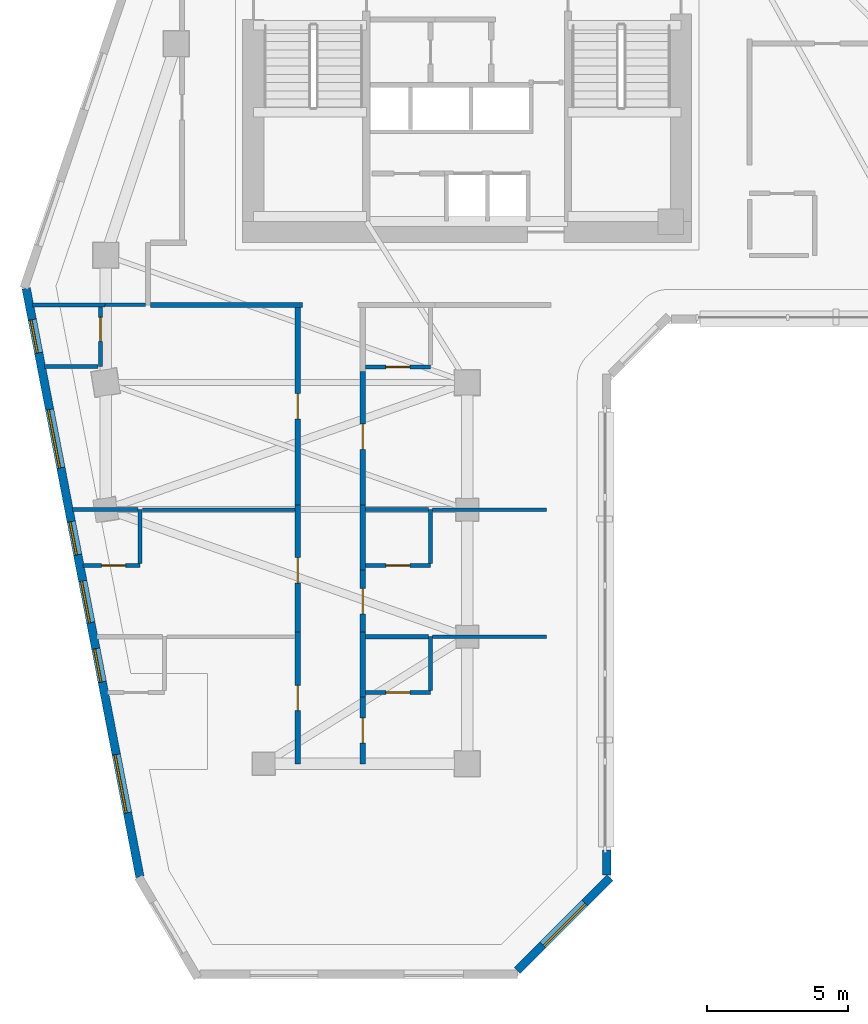
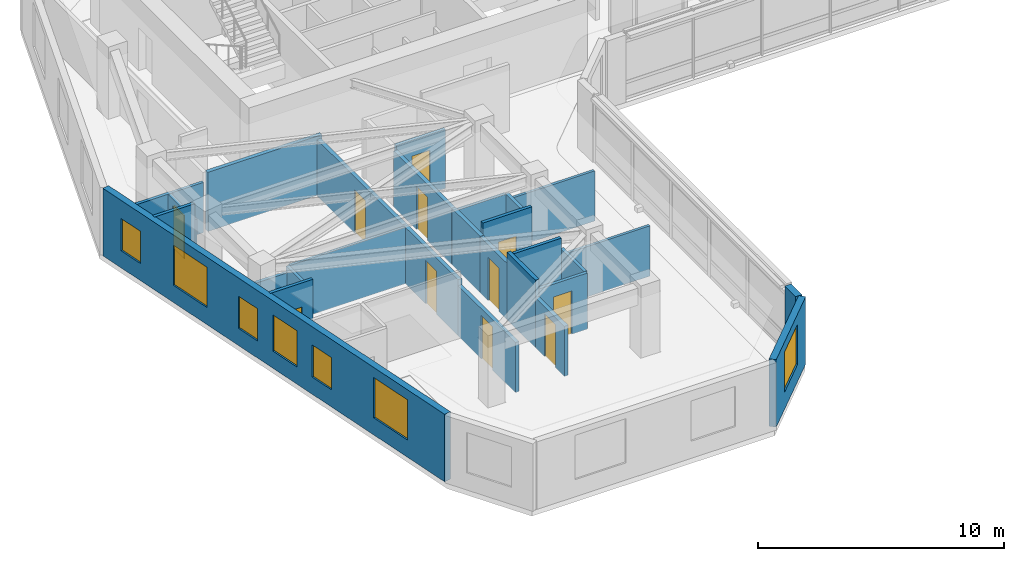
# One storey, part 5 of 14: 29 walls, 11 doors, 7 windows, 18 openings.
"""IFC4 building model written with IfcOpenShell, lengths in metres."""

from ifc_helpers import new_model, si_unit, direction, frame, frame_2d, origin, place, context, subcontext, project, spatial, rectangle, extrude, source, transform, mapped, material, layer, layer_set, type_object, element, fill, save


model = new_model("IFC4")

# Units and contexts
model_context = context("Model", 3, precision=1e-05, world=origin(), true_north=direction((0.0, 1.0)))
body_context = subcontext(model_context, "Body", "Model", "MODEL_VIEW")
ifc_project = project(units=[si_unit("LENGTHUNIT", "METRE"), si_unit("AREAUNIT", "SQUARE_METRE"), si_unit("VOLUMEUNIT", "CUBIC_METRE"), si_unit("PLANEANGLEUNIT", "RADIAN"), si_unit("MASSUNIT", "GRAM", prefix="KILO")], contexts=[model_context])

# Site, building, storey
site_placement = place(None, origin())
site = spatial("IfcSite", under=ifc_project, at=site_placement, CompositionType="ELEMENT")
building_placement = place(site_placement, origin())
building = spatial("IfcBuilding", under=site, at=building_placement, Name="Calvemar Wedge Station Tower", CompositionType="ELEMENT")
storey_placement = place(building_placement, frame((0.0, 0.0, 125.0)))
storey = spatial("IfcBuildingStorey", under=building, at=storey_placement, Name="L30", CompositionType="ELEMENT", Elevation=125.0)

# Wall
ifc_material_1 = material(Name="Double-stud fire-rated corridor partition")
ifc_layer_1 = layer(ifc_material_1, 0.179931640625)
ifc_layer_set_1 = layer_set([ifc_layer_1], Name="Double-stud fire-rated corridor partition")
wall_type_1 = type_object("IfcWallType", Name="W-CORR-180", PredefinedType="PARTITIONING", material=ifc_layer_set_1)
wall_1_placement = place(storey_placement, frame((17.9599609375, 31.25, 0.0), z_axis=(0.0, 0.0, 1.0), x_axis=(-1.0, 0.0, 0.0)))
element("IfcWall", 1, at=wall_1_placement, inside=storey, type_object=wall_type_1, Name="Storey L30 Interior Partition WL-L30-009", PredefinedType="PARTITIONING", context=body_context, shape_type="SweptSolid", body=[
    extrude(rectangle(XDim=5.365966796875, YDim=0.179931640625, at=frame_2d((2.68310546875, 0.0))), origin(), (0.0, 0.0, 1.0), 2.93505859375),
])

# Wall, opening, door
wall_2_placement = place(storey_placement, frame((17.800048828125, 15.0, 0.0), z_axis=(0.0, 0.0, 1.0), x_axis=(0.0, 1.0, 0.0)))
wall_2 = element("IfcWall", 2, at=wall_2_placement, inside=storey, type_object=wall_type_1, Name="Storey L30 Interior Partition WL-L30-045", PredefinedType="PARTITIONING", context=body_context, shape_type="SweptSolid", body=[
    extrude(rectangle(XDim=4.659912109375, YDim=0.179931640625, at=frame_2d((2.330078125, 0.0))), origin(), (0.0, 0.0, 1.0), 2.491943359375),
])
shared_shape_1 = source(origin(), body_context, "Body", "SweptSolid", [
    extrude(rectangle(XDim=0.89990234375, YDim=2.14990234375, at=frame_2d((0.449951171875, 1.074951171875))), frame((0.0, 0.10009765625, 0.0), z_axis=(0.0, -1.0, 0.0), x_axis=(1.0, 0.0, 0.0)), (0.0, 0.0, 1.0), 0.199951171875),
])
opening_1_placement = place(wall_2_placement, frame((1.8798828125, 0.0, 0.0)))
opening_1 = element("IfcOpeningElement", 3, at=opening_1_placement, cuts=wall_2, Name="Opening FD-60", PredefinedType="OPENING", context=body_context, shape_type="MappedRepresentation", body=[
    mapped(shared_shape_1, transform((0.0, 0.0, 0.0), scale=1.0)),
])
ifc_material_2 = material(Name="Fire-rated acoustic timber-core entrance door EI 60", Category="wood")
door_type_1 = type_object("IfcDoorType", Name="DR-FD60-900", OperationType="NOTDEFINED", PredefinedType="DOOR", material=ifc_material_2)
shared_shape_2 = source(origin(), body_context, "Body", "SweptSolid", [
    extrude(rectangle(XDim=0.89990234375, YDim=2.14990234375, at=frame_2d((0.449951171875, 1.074951171875))), frame((0.0, 0.02490234375, 0.0), z_axis=(0.0, -1.0, 0.0), x_axis=(1.0, 0.0, 0.0)), (0.0, 0.0, 1.0), 0.050048828125),
])
door_1_placement = place(opening_1_placement, origin())
door_1 = element("IfcDoor", 4, at=door_1_placement, inside=storey, type_object=door_type_1, Name="L30 Hotel Guest Room Door", OperationType="SINGLE_SWING_LEFT", OverallHeight=2.14990234375, OverallWidth=0.89990234375, PredefinedType="DOOR", context=body_context, shape_type="MappedRepresentation", body=[
    mapped(shared_shape_2, transform((0.0, 0.0, 0.0), scale=1.0)),
])
fill(opening_1, door_1)

# Wall
wall_3_placement = place(storey_placement, frame((20.10009765625, 19.659912109375, 0.0), z_axis=(0.0, 0.0, 1.0), x_axis=(0.0, -1.0, 0.0)))
element("IfcWall", 5, at=wall_3_placement, inside=storey, type_object=wall_type_1, Name="Storey L30 Interior Partition WL-L30-046", PredefinedType="PARTITIONING", context=body_context, shape_type="SweptSolid", body=[
    extrude(rectangle(XDim=2.2998046875, YDim=0.179931640625, at=frame_2d((1.14990234375, 0.0))), origin(), (0.0, 0.0, 1.0), 3.35009765625),
])

# Wall, opening, door
wall_4_placement = place(storey_placement, frame((20.10009765625, 17.35791015625, 0.0), z_axis=(0.0, 0.0, 1.0), x_axis=(0.0, -1.0, 0.0)))
wall_4 = element("IfcWall", 6, at=wall_4_placement, inside=storey, type_object=wall_type_1, Name="Storey L30 Interior Partition WL-L30-047", PredefinedType="PARTITIONING", context=body_context, shape_type="SweptSolid", body=[
    extrude(rectangle(XDim=2.35791015625, YDim=0.179931640625, at=frame_2d((1.178955078125, 0.0))), origin(), (0.0, 0.0, 1.0), 2.491943359375),
])
opening_2_placement = place(wall_4_placement, frame((0.72900390625, 0.0, 0.0)))
opening_2 = element("IfcOpeningElement", 7, at=opening_2_placement, cuts=wall_4, Name="Opening FD-60", PredefinedType="OPENING", context=body_context, shape_type="MappedRepresentation", body=[
    mapped(shared_shape_1, transform((0.0, 0.0, 0.0), scale=1.0)),
])
door_2_placement = place(opening_2_placement, origin())
door_2 = element("IfcDoor", 8, at=door_2_placement, inside=storey, type_object=door_type_1, Name="L30 Hotel Guest Room Door", OperationType="SINGLE_SWING_LEFT", OverallHeight=2.14990234375, OverallWidth=0.89990234375, PredefinedType="DOOR", context=body_context, shape_type="MappedRepresentation", body=[
    mapped(shared_shape_2, transform((0.0, 0.0, 0.0), scale=1.0)),
])
fill(opening_2, door_2)

wall_5_placement = place(storey_placement, frame((17.800048828125, 19.662109375, 0.0), z_axis=(0.0, 0.0, 1.0), x_axis=(0.0, 1.0, 0.0)))
wall_5 = element("IfcWall", 9, at=wall_5_placement, inside=storey, type_object=wall_type_1, Name="Storey L30 Interior Partition WL-L30-048", PredefinedType="PARTITIONING", context=body_context, shape_type="SweptSolid", body=[
    extrude(rectangle(XDim=4.497802734375, YDim=0.179931640625, at=frame_2d((2.2490234375, 0.0))), origin(), (0.0, 0.0, 1.0), 2.7880859375),
])
opening_3_placement = place(wall_5_placement, frame((1.73828125, 0.0, 0.0)))
opening_3 = element("IfcOpeningElement", 10, at=opening_3_placement, cuts=wall_5, Name="Opening FD-60", PredefinedType="OPENING", context=body_context, shape_type="MappedRepresentation", body=[
    mapped(shared_shape_1, transform((0.0, 0.0, 0.0), scale=1.0)),
])
door_3_placement = place(opening_3_placement, origin())
door_3 = element("IfcDoor", 11, at=door_3_placement, inside=storey, type_object=door_type_1, Name="L30 Hotel Guest Room Door", OperationType="SINGLE_SWING_LEFT", OverallHeight=2.14990234375, OverallWidth=0.89990234375, PredefinedType="DOOR", context=body_context, shape_type="MappedRepresentation", body=[
    mapped(shared_shape_2, transform((0.0, 0.0, 0.0), scale=1.0)),
])
fill(opening_3, door_3)

# Wall
wall_6_placement = place(storey_placement, frame((20.10009765625, 24.159912109375, 0.0), z_axis=(0.0, 0.0, 1.0), x_axis=(0.0, -1.0, 0.0)))
element("IfcWall", 12, at=wall_6_placement, inside=storey, type_object=wall_type_1, Name="Storey L30 Interior Partition WL-L30-049", PredefinedType="PARTITIONING", context=body_context, shape_type="SweptSolid", body=[
    extrude(rectangle(XDim=2.2998046875, YDim=0.179931640625, at=frame_2d((1.14990234375, 0.0))), origin(), (0.0, 0.0, 1.0), 2.802978515625),
])

# Wall, opening, door
wall_7_placement = place(storey_placement, frame((20.10009765625, 21.85791015625, 0.0), z_axis=(0.0, 0.0, 1.0), x_axis=(0.0, -1.0, 0.0)))
wall_7 = element("IfcWall", 13, at=wall_7_placement, inside=storey, type_object=wall_type_1, Name="Storey L30 Interior Partition WL-L30-050", PredefinedType="PARTITIONING", context=body_context, shape_type="SweptSolid", body=[
    extrude(rectangle(XDim=2.19580078125, YDim=0.179931640625, at=frame_2d((1.097900390625, 0.0))), origin(), (0.0, 0.0, 1.0), 2.7880859375),
])
opening_4_placement = place(wall_7_placement, frame((0.64794921875, 0.0, 0.0)))
opening_4 = element("IfcOpeningElement", 14, at=opening_4_placement, cuts=wall_7, Name="Opening FD-60", PredefinedType="OPENING", context=body_context, shape_type="MappedRepresentation", body=[
    mapped(shared_shape_1, transform((0.0, 0.0, 0.0), scale=1.0)),
])
door_4_placement = place(opening_4_placement, origin())
door_4 = element("IfcDoor", 15, at=door_4_placement, inside=storey, type_object=door_type_1, Name="L30 Hotel Guest Room Door", OperationType="SINGLE_SWING_LEFT", OverallHeight=2.14990234375, OverallWidth=0.89990234375, PredefinedType="DOOR", context=body_context, shape_type="MappedRepresentation", body=[
    mapped(shared_shape_2, transform((0.0, 0.0, 0.0), scale=1.0)),
])
fill(opening_4, door_4)

wall_8_placement = place(storey_placement, frame((17.800048828125, 24.162109375, 0.0), z_axis=(0.0, 0.0, 1.0), x_axis=(0.0, 1.0, 0.0)))
wall_8 = element("IfcWall", 16, at=wall_8_placement, inside=storey, type_object=wall_type_1, Name="Storey L30 Interior Partition WL-L30-051", PredefinedType="PARTITIONING", context=body_context, shape_type="SweptSolid", body=[
    extrude(rectangle(XDim=6.993896484375, YDim=0.179931640625, at=frame_2d((3.4970703125, 0.0))), origin(), (0.0, 0.0, 1.0), 2.7880859375),
])
opening_5_placement = place(wall_8_placement, frame((3.047119140625, 0.0, 0.0)))
opening_5 = element("IfcOpeningElement", 17, at=opening_5_placement, cuts=wall_8, Name="Opening FD-60", PredefinedType="OPENING", context=body_context, shape_type="MappedRepresentation", body=[
    mapped(shared_shape_1, transform((0.0, 0.0, 0.0), scale=1.0)),
])
door_5_placement = place(opening_5_placement, origin())
door_5 = element("IfcDoor", 18, at=door_5_placement, inside=storey, type_object=door_type_1, Name="L30 Hotel Guest Room Door", OperationType="SINGLE_SWING_LEFT", OverallHeight=2.14990234375, OverallWidth=0.89990234375, PredefinedType="DOOR", context=body_context, shape_type="MappedRepresentation", body=[
    mapped(shared_shape_2, transform((0.0, 0.0, 0.0), scale=1.0)),
])
fill(opening_5, door_5)

wall_9_placement = place(storey_placement, frame((20.10009765625, 28.887939453125, 0.0), z_axis=(0.0, 0.0, 1.0), x_axis=(0.0, -1.0, 0.0)))
wall_9 = element("IfcWall", 19, at=wall_9_placement, inside=storey, type_object=wall_type_1, Name="Storey L30 Interior Partition WL-L30-053", PredefinedType="PARTITIONING", context=body_context, shape_type="SweptSolid", body=[
    extrude(rectangle(XDim=4.725830078125, YDim=0.179931640625, at=frame_2d((2.36279296875, 0.0))), origin(), (0.0, 0.0, 1.0), 2.7880859375),
])
opening_6_placement = place(wall_9_placement, frame((1.8525390625, 0.0, 0.0)))
opening_6 = element("IfcOpeningElement", 20, at=opening_6_placement, cuts=wall_9, Name="Opening FD-60", PredefinedType="OPENING", context=body_context, shape_type="MappedRepresentation", body=[
    mapped(shared_shape_1, transform((0.0, 0.0, 0.0), scale=1.0)),
])
door_6_placement = place(opening_6_placement, origin())
door_6 = element("IfcDoor", 21, at=door_6_placement, inside=storey, type_object=door_type_1, Name="L30 Hotel Guest Room Door", OperationType="SINGLE_SWING_LEFT", OverallHeight=2.14990234375, OverallWidth=0.89990234375, PredefinedType="DOOR", context=body_context, shape_type="MappedRepresentation", body=[
    mapped(shared_shape_2, transform((0.0, 0.0, 0.0), scale=1.0)),
])
fill(opening_6, door_6)

# Wall, opening, window
ifc_material_3 = material(Name="Precast concrete C45", Category="concrete")
ifc_layer_2 = layer(ifc_material_3, 0.300048828125)
ifc_layer_set_2 = layer_set([ifc_layer_2], Name="Precast concrete C45")
wall_type_2 = type_object("IfcWallType", Name="W-EXT-GFRC-300", PredefinedType="SOLIDWALL", material=ifc_layer_set_2)
wall_10_placement = place(storey_placement, frame((25.572021484375, 7.68798828125, 0.0), z_axis=(0.0, 0.0, 1.0), x_axis=(0.70708046583, 0.707133095564, 0.0)))
wall_10 = element("IfcWall", 22, at=wall_10_placement, inside=storey, type_object=wall_type_2, Name="Storey L30 Bronze GFRC Exterior Wall 3", PredefinedType="SOLIDWALL", context=body_context, shape_type="SweptSolid", body=[
    extrude(rectangle(XDim=4.638916015625, YDim=0.300048828125, at=frame_2d((2.3193359375, 0.0))), origin(), (0.0, 0.0, 1.0), 3.35009765625),
])
shared_shape_3 = source(origin(), body_context, "Body", "SweptSolid", [
    extrude(rectangle(XDim=2.10009765625, YDim=2.0, at=frame_2d((1.050048828125, 1.0))), frame((0.0, 0.16015625, 0.0), z_axis=(0.0, -1.0, 0.0), x_axis=(1.0, 0.0, 0.0)), (0.0, 0.0, 1.0), 0.320068359375),
])
opening_7_placement = place(wall_10_placement, frame((1.26904296875, 0.0, 0.85009765625)))
opening_7 = element("IfcOpeningElement", 23, at=opening_7_placement, cuts=wall_10, Name="Opening W4", PredefinedType="OPENING", context=body_context, shape_type="MappedRepresentation", body=[
    mapped(shared_shape_3, transform((0.0, 0.0, 0.0), scale=1.0)),
])
ifc_material_4 = material(Name="Low-E laminated insulated glass", Category="glass")
window_type_1 = type_object("IfcWindowType", Name="WIN-EXT-4", PartitioningType="SINGLE_PANEL", PredefinedType="WINDOW", material=ifc_material_4)
shared_shape_4 = source(origin(), body_context, "Body", "SweptSolid", [
    extrude(rectangle(XDim=2.10009765625, YDim=2.0, at=frame_2d((1.050048828125, 1.0))), frame((0.0, -0.014892578125, 0.0), z_axis=(0.0, -1.0, 0.0), x_axis=(1.0, 0.0, 0.0)), (0.0, 0.0, 1.0), 0.06005859375),
])
window_1_placement = place(opening_7_placement, origin())
window_1 = element("IfcWindow", 24, at=window_1_placement, inside=storey, type_object=window_type_1, Name="Storey L30 Recessed Window 3.1", OverallHeight=2.0, OverallWidth=2.10009765625, PartitioningType="SINGLE_PANEL", PredefinedType="WINDOW", context=body_context, shape_type="MappedRepresentation", body=[
    mapped(shared_shape_4, transform((0.0, 0.0, 0.0), scale=1.0)),
])
fill(opening_7, window_1)

# Wall
wall_11_placement = place(storey_placement, frame((28.74609375, 11.057373046875, 0.0), z_axis=(0.0, 0.0, 1.0), x_axis=(0.0, 1.0, 0.0)))
element("IfcWall", 25, at=wall_11_placement, inside=storey, type_object=wall_type_2, Name="Storey L30 Bronze GFRC Corner Pier 4A", PredefinedType="SOLIDWALL", context=body_context, shape_type="SweptSolid", body=[
    extrude(rectangle(XDim=0.88232421875, YDim=0.300048828125, at=frame_2d((0.441162109375, 0.0))), origin(), (0.0, 0.0, 1.0), 3.35009765625),
])

# Wall, openings, windows
wall_12_placement = place(storey_placement, frame((8.184814453125, 31.833740234375, 0.0), z_axis=(0.0, 0.0, 1.0), x_axis=(0.189707113148, -0.981840725994, 0.0)))
wall_12 = element("IfcWall", 26, at=wall_12_placement, inside=storey, type_object=wall_type_2, Name="Storey L30 Bronze GFRC Exterior Wall 13", PredefinedType="SOLIDWALL", context=body_context, shape_type="SweptSolid", body=[
    extrude(rectangle(XDim=21.221435546875, YDim=0.300048828125, at=frame_2d((10.61083984375, 0.0))), origin(), (0.0, 0.0, 1.0), 3.35009765625),
])
shared_shape_5 = source(origin(), body_context, "Body", "SweptSolid", [
    extrude(rectangle(XDim=1.199951171875, YDim=1.60009765625, at=frame_2d((0.60009765625, 0.800048828125))), frame((0.0, 0.16015625, 0.0), z_axis=(0.0, -1.0, 0.0), x_axis=(1.0, 0.0, 0.0)), (0.0, 0.0, 1.0), 0.320068359375),
])
opening_8_placement = place(wall_12_placement, frame((1.126953125, 0.0, 0.85009765625)))
opening_8 = element("IfcOpeningElement", 27, at=opening_8_placement, cuts=wall_12, Name="Opening W5", PredefinedType="OPENING", context=body_context, shape_type="MappedRepresentation", body=[
    mapped(shared_shape_5, transform((0.0, 0.0, 0.0), scale=1.0)),
])
opening_9_placement = place(wall_12_placement, frame((4.368896484375, 0.0, 0.85009765625)))
opening_9 = element("IfcOpeningElement", 28, at=opening_9_placement, cuts=wall_12, Name="Opening W4", PredefinedType="OPENING", context=body_context, shape_type="MappedRepresentation", body=[
    mapped(shared_shape_3, transform((0.0, 0.0, 0.0), scale=1.0)),
])
opening_10_placement = place(wall_12_placement, frame((8.408935546875, 0.0, 0.85009765625)))
opening_10 = element("IfcOpeningElement", 29, at=opening_10_placement, cuts=wall_12, Name="Opening W5", PredefinedType="OPENING", context=body_context, shape_type="MappedRepresentation", body=[
    mapped(shared_shape_5, transform((0.0, 0.0, 0.0), scale=1.0)),
])
shared_shape_6 = source(origin(), body_context, "Body", "SweptSolid", [
    extrude(rectangle(XDim=1.5, YDim=1.800048828125, at=frame_2d((0.75, 0.89990234375))), frame((0.0, 0.16015625, 0.0), z_axis=(0.0, -1.0, 0.0), x_axis=(1.0, 0.0, 0.0)), (0.0, 0.0, 1.0), 0.320068359375),
])
opening_11_placement = place(wall_12_placement, frame((10.551025390625, 0.0, 0.85009765625)))
opening_11 = element("IfcOpeningElement", 30, at=opening_11_placement, cuts=wall_12, Name="Opening W3", PredefinedType="OPENING", context=body_context, shape_type="MappedRepresentation", body=[
    mapped(shared_shape_6, transform((0.0, 0.0, 0.0), scale=1.0)),
])
opening_12_placement = place(wall_12_placement, frame((12.991943359375, 0.0, 0.85009765625)))
opening_12 = element("IfcOpeningElement", 31, at=opening_12_placement, cuts=wall_12, Name="Opening W5", PredefinedType="OPENING", context=body_context, shape_type="MappedRepresentation", body=[
    mapped(shared_shape_5, transform((0.0, 0.0, 0.0), scale=1.0)),
])
opening_13_placement = place(wall_12_placement, frame((16.81103515625, 0.0, 0.85009765625)))
opening_13 = element("IfcOpeningElement", 32, at=opening_13_placement, cuts=wall_12, Name="Opening W4", PredefinedType="OPENING", context=body_context, shape_type="MappedRepresentation", body=[
    mapped(shared_shape_3, transform((0.0, 0.0, 0.0), scale=1.0)),
])
window_2_placement = place(opening_9_placement, origin())
window_2 = element("IfcWindow", 33, at=window_2_placement, inside=storey, type_object=window_type_1, Name="Storey L30 Recessed Window 13.2", OverallHeight=2.0, OverallWidth=2.10009765625, PartitioningType="SINGLE_PANEL", PredefinedType="WINDOW", context=body_context, shape_type="MappedRepresentation", body=[
    mapped(shared_shape_4, transform((0.0, 0.0, 0.0), scale=1.0)),
])
fill(opening_9, window_2)
window_3_placement = place(opening_13_placement, origin())
window_3 = element("IfcWindow", 34, at=window_3_placement, inside=storey, type_object=window_type_1, Name="Storey L30 Recessed Window 13.6", OverallHeight=2.0, OverallWidth=2.10009765625, PartitioningType="SINGLE_PANEL", PredefinedType="WINDOW", context=body_context, shape_type="MappedRepresentation", body=[
    mapped(shared_shape_4, transform((0.0, 0.0, 0.0), scale=1.0)),
])
fill(opening_13, window_3)
window_type_2 = type_object("IfcWindowType", Name="WIN-EXT-3", PartitioningType="SINGLE_PANEL", PredefinedType="WINDOW", material=ifc_material_4)
shared_shape_7 = source(origin(), body_context, "Body", "SweptSolid", [
    extrude(rectangle(XDim=1.5, YDim=1.800048828125, at=frame_2d((0.75, 0.89990234375))), frame((0.0, -0.014892578125, 0.0), z_axis=(0.0, -1.0, 0.0), x_axis=(1.0, 0.0, 0.0)), (0.0, 0.0, 1.0), 0.06005859375),
])
window_4_placement = place(opening_11_placement, origin())
window_4 = element("IfcWindow", 35, at=window_4_placement, inside=storey, type_object=window_type_2, Name="Storey L30 Recessed Window 13.4", OverallHeight=1.800048828125, OverallWidth=1.5, PartitioningType="SINGLE_PANEL", PredefinedType="WINDOW", context=body_context, shape_type="MappedRepresentation", body=[
    mapped(shared_shape_7, transform((0.0, 0.0, 0.0), scale=1.0)),
])
fill(opening_11, window_4)
window_type_3 = type_object("IfcWindowType", Name="WIN-EXT-5", PartitioningType="SINGLE_PANEL", PredefinedType="WINDOW", material=ifc_material_4)
shared_shape_8 = source(origin(), body_context, "Body", "SweptSolid", [
    extrude(rectangle(XDim=1.199951171875, YDim=1.60009765625, at=frame_2d((0.60009765625, 0.800048828125))), frame((0.0, -0.014892578125, 0.0), z_axis=(0.0, -1.0, 0.0), x_axis=(1.0, 0.0, 0.0)), (0.0, 0.0, 1.0), 0.06005859375),
])
window_5_placement = place(opening_8_placement, origin())
window_5 = element("IfcWindow", 36, at=window_5_placement, inside=storey, type_object=window_type_3, Name="Storey L30 Recessed Window 13.1", OverallHeight=1.60009765625, OverallWidth=1.199951171875, PartitioningType="SINGLE_PANEL", PredefinedType="WINDOW", context=body_context, shape_type="MappedRepresentation", body=[
    mapped(shared_shape_8, transform((0.0, 0.0, 0.0), scale=1.0)),
])
fill(opening_8, window_5)
window_6_placement = place(opening_10_placement, origin())
window_6 = element("IfcWindow", 37, at=window_6_placement, inside=storey, type_object=window_type_3, Name="Storey L30 Recessed Window 13.3", OverallHeight=1.60009765625, OverallWidth=1.199951171875, PartitioningType="SINGLE_PANEL", PredefinedType="WINDOW", context=body_context, shape_type="MappedRepresentation", body=[
    mapped(shared_shape_8, transform((0.0, 0.0, 0.0), scale=1.0)),
])
fill(opening_10, window_6)
window_7_placement = place(opening_12_placement, origin())
window_7 = element("IfcWindow", 38, at=window_7_placement, inside=storey, type_object=window_type_3, Name="Storey L30 Recessed Window 13.5", OverallHeight=1.60009765625, OverallWidth=1.199951171875, PartitioningType="SINGLE_PANEL", PredefinedType="WINDOW", context=body_context, shape_type="MappedRepresentation", body=[
    mapped(shared_shape_8, transform((0.0, 0.0, 0.0), scale=1.0)),
])
fill(opening_12, window_7)

# Walls
ifc_material_5 = material(Name="Insulated acoustic gypsum stud partition")
ifc_layer_3 = layer(ifc_material_5, 0.125)
ifc_layer_set_3 = layer_set([ifc_layer_3], Name="Insulated acoustic gypsum stud partition")
wall_type_3 = type_object("IfcWallType", Name="W-PART-125", PredefinedType="PARTITIONING", material=ifc_layer_set_3)
wall_13_placement = place(storey_placement, frame((12.406005859375, 31.25, 0.0), z_axis=(0.0, 0.0, 1.0), x_axis=(-1.0, 0.0, 0.0)))
element("IfcWall", 39, at=wall_13_placement, inside=storey, type_object=wall_type_3, Name="Storey L30 Interior Partition WL-L30-020", PredefinedType="PARTITIONING", context=body_context, shape_type="SweptSolid", body=[
    extrude(rectangle(XDim=1.43310546875, YDim=0.125, at=frame_2d((0.716552734375, 0.0))), origin(), (0.0, 0.0, 1.0), 2.491943359375),
])
wall_14_placement = place(storey_placement, frame((22.5791015625, 19.5, 0.0), z_axis=(0.0, 0.0, 1.0), x_axis=(1.0, 0.0, 0.0)))
element("IfcWall", 40, at=wall_14_placement, inside=storey, type_object=wall_type_3, Name="Storey L30 Interior Partition WL-L30-061", PredefinedType="PARTITIONING", context=body_context, shape_type="SweptSolid", body=[
    extrude(rectangle(XDim=4.02099609375, YDim=0.125, at=frame_2d((2.010498046875, 0.0))), origin(), (0.0, 0.0, 1.0), 2.491943359375),
])
wall_15_placement = place(storey_placement, frame((12.294677734375, 24.0, 0.0), z_axis=(0.0, 0.0, 1.0), x_axis=(1.0, 0.0, 0.0)))
element("IfcWall", 41, at=wall_15_placement, inside=storey, type_object=wall_type_3, Name="Storey L30 Interior Partition WL-L30-065", PredefinedType="PARTITIONING", context=body_context, shape_type="SweptSolid", body=[
    extrude(rectangle(XDim=5.411376953125, YDim=0.125, at=frame_2d((2.70556640625, 0.0))), origin(), (0.0, 0.0, 1.0), 2.802978515625),
])
wall_16_placement = place(storey_placement, frame((22.5791015625, 24.0, 0.0), z_axis=(0.0, 0.0, 1.0), x_axis=(1.0, 0.0, 0.0)))
element("IfcWall", 42, at=wall_16_placement, inside=storey, type_object=wall_type_3, Name="Storey L30 Interior Partition WL-L30-069", PredefinedType="PARTITIONING", context=body_context, shape_type="SweptSolid", body=[
    extrude(rectangle(XDim=4.02099609375, YDim=0.125, at=frame_2d((2.010498046875, 0.0))), origin(), (0.0, 0.0, 1.0), 2.491943359375),
])
ifc_material_6 = material(Name="Moisture-resistant acoustic bathroom partition")
ifc_layer_4 = layer(ifc_material_6, 0.14990234375)
ifc_layer_set_4 = layer_set([ifc_layer_4], Name="Moisture-resistant acoustic bathroom partition")
wall_type_4 = type_object("IfcWallType", Name="W-WET-150", PredefinedType="PARTITIONING", material=ifc_layer_set_4)
wall_17_placement = place(storey_placement, frame((10.970947265625, 31.25, 0.0), z_axis=(0.0, 0.0, 1.0), x_axis=(-1.0, 0.0, 0.0)))
element("IfcWall", 43, at=wall_17_placement, inside=storey, type_object=wall_type_4, Name="Storey L30 Interior Partition WL-L30-019", PredefinedType="PARTITIONING", context=body_context, shape_type="SweptSolid", body=[
    extrude(rectangle(XDim=2.55615234375, YDim=0.14990234375, at=frame_2d((1.278076171875, 0.0))), origin(), (0.0, 0.0, 1.0), 2.491943359375),
])

# Wall, opening, door
wall_18_placement = place(storey_placement, frame((22.5, 17.52001953125, 0.0), z_axis=(0.0, 0.0, 1.0), x_axis=(-1.0, 0.0, 0.0)))
wall_18 = element("IfcWall", 44, at=wall_18_placement, inside=storey, type_object=wall_type_4, Name="Storey L30 Interior Partition WL-L30-058", PredefinedType="PARTITIONING", context=body_context, shape_type="SweptSolid", body=[
    extrude(rectangle(XDim=2.305908203125, YDim=0.14990234375, at=frame_2d((1.15283203125, 0.0))), origin(), (0.0, 0.0, 1.0), 2.7880859375),
])
shared_shape_9 = source(origin(), body_context, "Body", "SweptSolid", [
    extrude(rectangle(XDim=0.85009765625, YDim=2.14990234375, at=frame_2d((0.425048828125, 1.074951171875))), frame((0.0, 0.0849609375, 0.0), z_axis=(0.0, -1.0, 0.0), x_axis=(1.0, 0.0, 0.0)), (0.0, 0.0, 1.0), 0.169921875),
])
opening_14_placement = place(wall_18_placement, frame((0.72802734375, 0.0, 0.0)))
opening_14 = element("IfcOpeningElement", 45, at=opening_14_placement, cuts=wall_18, Name="Opening D-02", PredefinedType="OPENING", context=body_context, shape_type="MappedRepresentation", body=[
    mapped(shared_shape_9, transform((0.0, 0.0, 0.0), scale=1.0)),
])
ifc_material_7 = material(Name="Moisture-sealed bathroom hardwood swing door", Category="wood")
door_type_2 = type_object("IfcDoorType", Name="DR-WET-850", OperationType="NOTDEFINED", PredefinedType="DOOR", material=ifc_material_7)
shared_shape_10 = source(origin(), body_context, "Body", "SweptSolid", [
    extrude(rectangle(XDim=0.85009765625, YDim=2.14990234375, at=frame_2d((0.425048828125, 1.074951171875))), frame((0.0, 0.02490234375, 0.0), z_axis=(0.0, -1.0, 0.0), x_axis=(1.0, 0.0, 0.0)), (0.0, 0.0, 1.0), 0.050048828125),
])
door_7_placement = place(opening_14_placement, origin())
door_7 = element("IfcDoor", 46, at=door_7_placement, inside=storey, type_object=door_type_2, Name="L30 En-Suite Bathroom Door", OperationType="SINGLE_SWING_RIGHT", OverallHeight=2.14990234375, OverallWidth=0.85009765625, PredefinedType="DOOR", context=body_context, shape_type="MappedRepresentation", body=[
    mapped(shared_shape_10, transform((0.0, 0.0, 0.0), scale=1.0)),
])
fill(opening_14, door_7)

# Walls
wall_19_placement = place(storey_placement, frame((22.5, 19.5, 0.0), z_axis=(0.0, 0.0, 1.0), x_axis=(0.0, -1.0, 0.0)))
element("IfcWall", 47, at=wall_19_placement, inside=storey, type_object=wall_type_4, Name="Storey L30 Interior Partition WL-L30-059", PredefinedType="PARTITIONING", context=body_context, shape_type="SweptSolid", body=[
    extrude(rectangle(XDim=1.90087890625, YDim=0.14990234375, at=frame_2d((0.950439453125, 0.0))), origin(), (0.0, 0.0, 1.0), 2.7880859375),
])
wall_20_placement = place(storey_placement, frame((20.194091796875, 19.5, 0.0), z_axis=(0.0, 0.0, 1.0), x_axis=(1.0, 0.0, 0.0)))
element("IfcWall", 48, at=wall_20_placement, inside=storey, type_object=wall_type_4, Name="Storey L30 Interior Partition WL-L30-060", PredefinedType="PARTITIONING", context=body_context, shape_type="SweptSolid", body=[
    extrude(rectangle(XDim=2.226806640625, YDim=0.14990234375, at=frame_2d((1.11328125, 0.0))), origin(), (0.0, 0.0, 1.0), 3.35009765625),
])

# Wall, opening, door
wall_21_placement = place(storey_placement, frame((12.215576171875, 22.02001953125, 0.0), z_axis=(0.0, 0.0, 1.0), x_axis=(-1.0, 0.0, 0.0)))
wall_21 = element("IfcWall", 49, at=wall_21_placement, inside=storey, type_object=wall_type_4, Name="Storey L30 Interior Partition WL-L30-062", PredefinedType="PARTITIONING", context=body_context, shape_type="SweptSolid", body=[
    extrude(rectangle(XDim=2.017578125, YDim=0.14990234375, at=frame_2d((1.0087890625, 0.0))), origin(), (0.0, 0.0, 1.0), 3.35009765625),
])
opening_15_placement = place(wall_21_placement, frame((0.5078125, 0.0, 0.0)))
opening_15 = element("IfcOpeningElement", 50, at=opening_15_placement, cuts=wall_21, Name="Opening D-02", PredefinedType="OPENING", context=body_context, shape_type="MappedRepresentation", body=[
    mapped(shared_shape_9, transform((0.0, 0.0, 0.0), scale=1.0)),
])
door_8_placement = place(opening_15_placement, origin())
door_8 = element("IfcDoor", 51, at=door_8_placement, inside=storey, type_object=door_type_2, Name="L30 En-Suite Bathroom Door", OperationType="SINGLE_SWING_RIGHT", OverallHeight=2.14990234375, OverallWidth=0.85009765625, PredefinedType="DOOR", context=body_context, shape_type="MappedRepresentation", body=[
    mapped(shared_shape_10, transform((0.0, 0.0, 0.0), scale=1.0)),
])
fill(opening_15, door_8)

# Walls
wall_22_placement = place(storey_placement, frame((12.215576171875, 24.0, 0.0), z_axis=(0.0, 0.0, 1.0), x_axis=(0.0, -1.0, 0.0)))
element("IfcWall", 52, at=wall_22_placement, inside=storey, type_object=wall_type_4, Name="Storey L30 Interior Partition WL-L30-063", PredefinedType="PARTITIONING", context=body_context, shape_type="SweptSolid", body=[
    extrude(rectangle(XDim=1.90087890625, YDim=0.14990234375, at=frame_2d((0.950439453125, 0.0))), origin(), (0.0, 0.0, 1.0), 2.7880859375),
])
wall_23_placement = place(storey_placement, frame((9.815673828125, 24.0, 0.0), z_axis=(0.0, 0.0, 1.0), x_axis=(1.0, 0.0, 0.0)))
element("IfcWall", 53, at=wall_23_placement, inside=storey, type_object=wall_type_4, Name="Storey L30 Interior Partition WL-L30-064", PredefinedType="PARTITIONING", context=body_context, shape_type="SweptSolid", body=[
    extrude(rectangle(XDim=2.321044921875, YDim=0.14990234375, at=frame_2d((1.16064453125, 0.0))), origin(), (0.0, 0.0, 1.0), 2.491943359375),
])

# Wall, opening, door
wall_24_placement = place(storey_placement, frame((22.5, 22.02001953125, 0.0), z_axis=(0.0, 0.0, 1.0), x_axis=(-1.0, 0.0, 0.0)))
wall_24 = element("IfcWall", 54, at=wall_24_placement, inside=storey, type_object=wall_type_4, Name="Storey L30 Interior Partition WL-L30-066", PredefinedType="PARTITIONING", context=body_context, shape_type="SweptSolid", body=[
    extrude(rectangle(XDim=2.305908203125, YDim=0.14990234375, at=frame_2d((1.15283203125, 0.0))), origin(), (0.0, 0.0, 1.0), 3.35009765625),
])
opening_16_placement = place(wall_24_placement, frame((0.72802734375, 0.0, 0.0)))
opening_16 = element("IfcOpeningElement", 55, at=opening_16_placement, cuts=wall_24, Name="Opening D-02", PredefinedType="OPENING", context=body_context, shape_type="MappedRepresentation", body=[
    mapped(shared_shape_9, transform((0.0, 0.0, 0.0), scale=1.0)),
])
door_9_placement = place(opening_16_placement, origin())
door_9 = element("IfcDoor", 56, at=door_9_placement, inside=storey, type_object=door_type_2, Name="L30 En-Suite Bathroom Door", OperationType="SINGLE_SWING_RIGHT", OverallHeight=2.14990234375, OverallWidth=0.85009765625, PredefinedType="DOOR", context=body_context, shape_type="MappedRepresentation", body=[
    mapped(shared_shape_10, transform((0.0, 0.0, 0.0), scale=1.0)),
])
fill(opening_16, door_9)

# Walls
wall_25_placement = place(storey_placement, frame((22.5, 24.0, 0.0), z_axis=(0.0, 0.0, 1.0), x_axis=(0.0, -1.0, 0.0)))
element("IfcWall", 57, at=wall_25_placement, inside=storey, type_object=wall_type_4, Name="Storey L30 Interior Partition WL-L30-067", PredefinedType="PARTITIONING", context=body_context, shape_type="SweptSolid", body=[
    extrude(rectangle(XDim=1.90087890625, YDim=0.14990234375, at=frame_2d((0.950439453125, 0.0))), origin(), (0.0, 0.0, 1.0), 2.802978515625),
])
wall_26_placement = place(storey_placement, frame((20.194091796875, 24.0, 0.0), z_axis=(0.0, 0.0, 1.0), x_axis=(1.0, 0.0, 0.0)))
element("IfcWall", 58, at=wall_26_placement, inside=storey, type_object=wall_type_4, Name="Storey L30 Interior Partition WL-L30-068", PredefinedType="PARTITIONING", context=body_context, shape_type="SweptSolid", body=[
    extrude(rectangle(XDim=2.226806640625, YDim=0.14990234375, at=frame_2d((1.11328125, 0.0))), origin(), (0.0, 0.0, 1.0), 2.802978515625),
])

# Wall, opening, door
wall_27_placement = place(storey_placement, frame((10.810791015625, 31.1708984375, 0.0), z_axis=(0.0, 0.0, 1.0), x_axis=(0.0, -1.0, 0.0)))
wall_27 = element("IfcWall", 59, at=wall_27_placement, inside=storey, type_object=wall_type_4, Name="Storey L30 Interior Partition WL-L30-070", PredefinedType="PARTITIONING", context=body_context, shape_type="SweptSolid", body=[
    extrude(rectangle(XDim=2.100830078125, YDim=0.14990234375, at=frame_2d((1.05029296875, 0.0))), origin(), (0.0, 0.0, 1.0), 2.491943359375),
])
opening_17_placement = place(wall_27_placement, frame((0.366455078125, 0.0, 0.0)))
opening_17 = element("IfcOpeningElement", 60, at=opening_17_placement, cuts=wall_27, Name="Opening D-02", PredefinedType="OPENING", context=body_context, shape_type="MappedRepresentation", body=[
    mapped(shared_shape_9, transform((0.0, 0.0, 0.0), scale=1.0)),
])
door_10_placement = place(opening_17_placement, origin())
door_10 = element("IfcDoor", 61, at=door_10_placement, inside=storey, type_object=door_type_2, Name="L30 En-Suite Bathroom Door", OperationType="SINGLE_SWING_RIGHT", OverallHeight=2.14990234375, OverallWidth=0.85009765625, PredefinedType="DOOR", context=body_context, shape_type="MappedRepresentation", body=[
    mapped(shared_shape_10, transform((0.0, 0.0, 0.0), scale=1.0)),
])
fill(opening_17, door_10)

# Wall
wall_28_placement = place(storey_placement, frame((10.73193359375, 29.070068359375, 0.0), z_axis=(0.0, 0.0, 1.0), x_axis=(-1.0, 0.0, 0.0)))
element("IfcWall", 62, at=wall_28_placement, inside=storey, type_object=wall_type_4, Name="Storey L30 Interior Partition WL-L30-071", PredefinedType="PARTITIONING", context=body_context, shape_type="SweptSolid", body=[
    extrude(rectangle(XDim=1.89599609375, YDim=0.14990234375, at=frame_2d((0.947998046875, 0.0))), origin(), (0.0, 0.0, 1.0), 3.35009765625),
])

# Wall, opening, door
wall_29_placement = place(storey_placement, frame((22.5, 29.050048828125, 0.0), z_axis=(0.0, 0.0, 1.0), x_axis=(-1.0, 0.0, 0.0)))
wall_29 = element("IfcWall", 63, at=wall_29_placement, inside=storey, type_object=wall_type_4, Name="Storey L30 Interior Partition WL-L30-072", PredefinedType="PARTITIONING", context=body_context, shape_type="SweptSolid", body=[
    extrude(rectangle(XDim=2.305908203125, YDim=0.14990234375, at=frame_2d((1.15283203125, 0.0))), origin(), (0.0, 0.0, 1.0), 2.93505859375),
])
opening_18_placement = place(wall_29_placement, frame((0.72802734375, 0.0, 0.0)))
opening_18 = element("IfcOpeningElement", 64, at=opening_18_placement, cuts=wall_29, Name="Opening D-02", PredefinedType="OPENING", context=body_context, shape_type="MappedRepresentation", body=[
    mapped(shared_shape_9, transform((0.0, 0.0, 0.0), scale=1.0)),
])
door_11_placement = place(opening_18_placement, origin())
door_11 = element("IfcDoor", 65, at=door_11_placement, inside=storey, type_object=door_type_2, Name="L30 En-Suite Bathroom Door", OperationType="SINGLE_SWING_RIGHT", OverallHeight=2.14990234375, OverallWidth=0.85009765625, PredefinedType="DOOR", context=body_context, shape_type="MappedRepresentation", body=[
    mapped(shared_shape_10, transform((0.0, 0.0, 0.0), scale=1.0)),
])
fill(opening_18, door_11)

save(model, "model.ifc")
